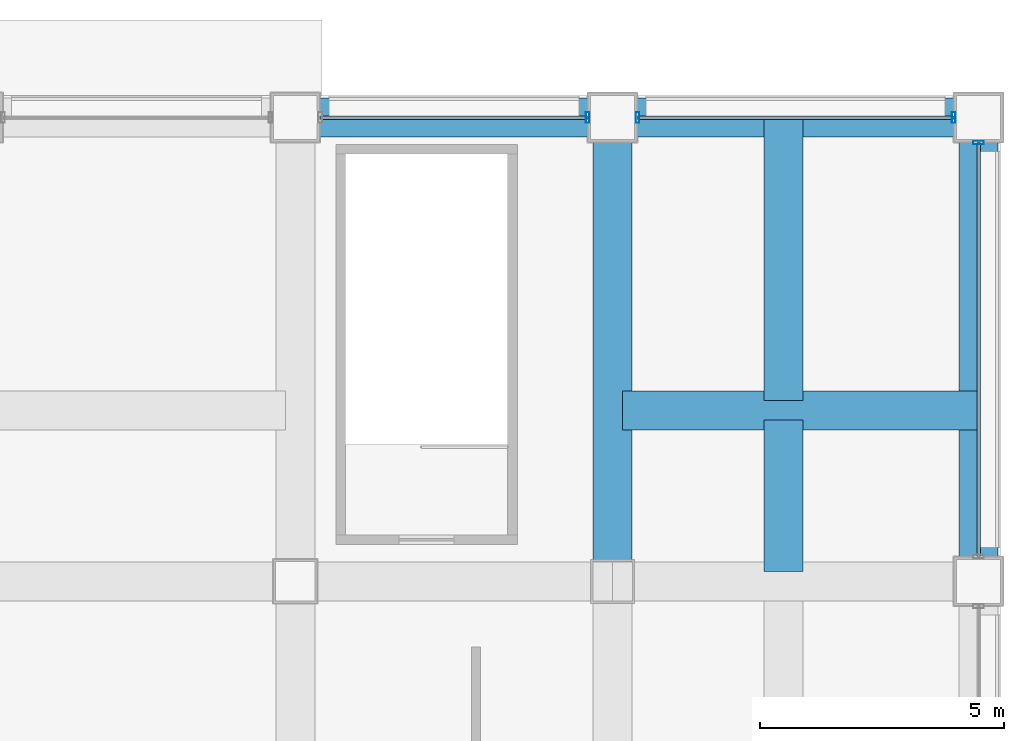
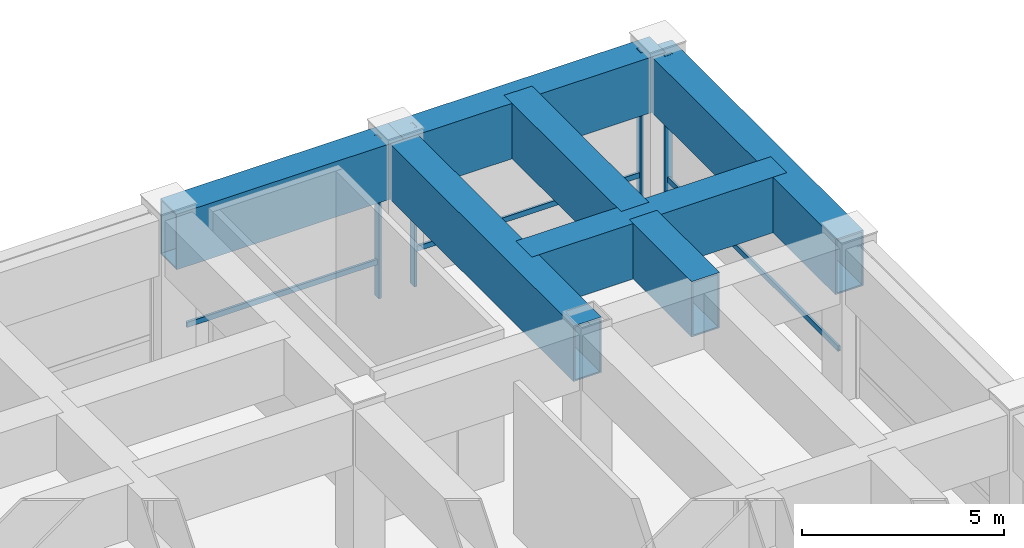
# One storey, part 23 of 30: 7 beams, 7 members, 3 elements without a shape of their own.
"""IFC4 building model written with IfcOpenShell, lengths in metres."""

from ifc_helpers import new_model, si_unit, direction, frame, origin, origin_2d, place, context, subcontext, project, spatial, hollow_rectangle, extrude, material, layer, layer_set, material_profile, profile_set, type_object, element, aggregate, save


model = new_model("IFC4")

# Units and contexts
model_context = context("Model", 3, precision=1e-05, world=origin(), true_north=direction((0.0, 1.0)))
body_context = subcontext(model_context, "Body", "Model", "MODEL_VIEW")
ifc_project = project(units=[si_unit("LENGTHUNIT", "METRE"), si_unit("AREAUNIT", "SQUARE_METRE"), si_unit("VOLUMEUNIT", "CUBIC_METRE"), si_unit("PLANEANGLEUNIT", "RADIAN"), si_unit("MASSUNIT", "GRAM", prefix="KILO")], contexts=[model_context])

# Site, building, storey
site_placement = place(None, origin())
site = spatial("IfcSite", under=ifc_project, at=site_placement, CompositionType="ELEMENT")
building_placement = place(site_placement, origin())
building = spatial("IfcBuilding", under=site, at=building_placement, Name="Brelmoor Portico Tower", CompositionType="ELEMENT")
storey_placement = place(building_placement, frame((0.0, 0.0, 19.199951171875)))
storey = spatial("IfcBuildingStorey", under=building, at=storey_placement, Name="L04", CompositionType="ELEMENT", Elevation=19.199951171875)

# Beams
ifc_material_1 = material(Name="Steel Q355B", Category="steel")
ifc_material_profile_1 = material_profile(ifc_material_1, hollow_rectangle(XDim=0.800048828125, YDim=1.679931640625, WallThickness=0.044921875, at=origin_2d()), Name="BOX 800x1680x45")
ifc_profile_set_1 = profile_set([ifc_material_profile_1], Name="Steel Q355B")
beam_type = type_object("IfcBeamType", Name="BM-TG-Z1", PredefinedType="BEAM", material=ifc_profile_set_1)
beam_1_placement = place(storey_placement, frame((14.550048828125, 27.550048828125, 3.760009765625), z_axis=(1.0, 0.0, 0.0), x_axis=(0.0, 1.0, 0.0)))
element("IfcBeam", 1, at=beam_1_placement, inside=storey, type_object=beam_type, Name="L04 Perimeter Transfer Beam SP-13", PredefinedType="BEAM", context=body_context, shape_type="SweptSolid", body=[
    extrude(hollow_rectangle(XDim=0.800048828125, YDim=1.679931640625, WallThickness=0.044921875, at=origin_2d()), origin(), (0.0, 0.0, 1.0), 6.5),
])
beam_2_placement = place(storey_placement, frame((21.050048828125, 27.550048828125, 3.760009765625), z_axis=(1.0, 0.0, 0.0), x_axis=(0.0, 1.0, 0.0)))
element("IfcBeam", 2, at=beam_2_placement, inside=storey, type_object=beam_type, Name="L04 Perimeter Transfer Beam SP-14", PredefinedType="BEAM", context=body_context, shape_type="SweptSolid", body=[
    extrude(hollow_rectangle(XDim=0.800048828125, YDim=1.679931640625, WallThickness=0.044921875, at=origin_2d()), origin(), (0.0, 0.0, 1.0), 7.5),
])
for number, where, z_axis, x_axis, name in (
    (3, (28.550048828125, 18.050048828125, 3.760009765625), (0.0, 1.0, 0.0), (-1.0, 0.0, 0.0), "L04 Perimeter Transfer Beam SP-26"),
    (4, (21.050048828125, 18.050048828125, 3.760009765625), (0.0, 1.0, 0.0), (-1.0, 0.0, 0.0), "L04 Setback Transfer Girder PG-20"),
):
    element("IfcBeam", number, at=place(storey_placement, frame(where, z_axis=z_axis, x_axis=x_axis)), inside=storey, type_object=beam_type, Name=name, PredefinedType="BEAM", context=body_context, shape_type="SweptSolid", body=[
        extrude(hollow_rectangle(XDim=0.800048828125, YDim=1.679931640625, WallThickness=0.044921875, at=origin_2d()), origin(), (0.0, 0.0, 1.0), 9.5),
    ])
beam_3_placement = place(storey_placement, frame((21.25, 21.550048828125, 3.760009765625), z_axis=(1.0, 0.0, 0.0), x_axis=(0.0, 1.0, 0.0)))
element("IfcBeam", 5, at=beam_3_placement, inside=storey, type_object=beam_type, Name="L04 Setback Transfer Girder TGN-12", PredefinedType="BEAM", context=body_context, shape_type="SweptSolid", body=[
    extrude(hollow_rectangle(XDim=0.800048828125, YDim=1.679931640625, WallThickness=0.044921875, at=origin_2d()), origin(), (0.0, 0.0, 1.0), 7.300048828125),
])
beam_4_placement = place(storey_placement, frame((24.550048828125, 18.25, 3.760009765625), z_axis=(0.0, 1.0, 0.0), x_axis=(-1.0, 0.0, 0.0)))
element("IfcBeam", 6, at=beam_4_placement, inside=storey, type_object=beam_type, Name="L04 Setback Transfer Girder TGN-53", PredefinedType="BEAM", context=body_context, shape_type="SweptSolid", body=[
    extrude(hollow_rectangle(XDim=0.800048828125, YDim=1.679931640625, WallThickness=0.044921875, at=origin_2d()), origin(), (0.0, 0.0, 1.0), 3.10009765625),
])
beam_5_placement = place(storey_placement, frame((24.550048828125, 21.75, 3.760009765625), z_axis=(0.0, 1.0, 0.0), x_axis=(-1.0, 0.0, 0.0)))
element("IfcBeam", 7, at=beam_5_placement, inside=storey, type_object=beam_type, Name="L04 Setback Transfer Girder TGN-54", PredefinedType="BEAM", context=body_context, shape_type="SweptSolid", body=[
    extrude(hollow_rectangle(XDim=0.800048828125, YDim=1.679931640625, WallThickness=0.044921875, at=origin_2d()), origin(), (0.0, 0.0, 1.0), 5.800048828125),
])

# Curtain wall, member
ifc_material_2 = material(Name="Anodised Aluminium Alloy 6063-T6", Category="aluminium")
ifc_layer = layer(ifc_material_2, 0.179931640625)
ifc_layer_set = layer_set([ifc_layer], Name="Anodised Aluminium Alloy 6063-T6")
curtain_wall_type = type_object("IfcCurtainWallType", Name="CW-PODIUM-ARCH", PredefinedType="NOTDEFINED", material=ifc_layer_set)
curtain_wall_1_placement = place(storey_placement, origin())
curtain_wall_1 = element("IfcCurtainWall", 8, at=curtain_wall_1_placement, inside=storey, type_object=curtain_wall_type, Name="L04 Curtain Wall CW-L04-02-6", PredefinedType="NOTDEFINED")
ifc_material_profile_2 = material_profile(ifc_material_2, hollow_rectangle(XDim=0.074951171875, YDim=0.219970703125, WallThickness=0.0048828125, at=origin_2d()), Name="ALU MULLION 75x220")
ifc_profile_set_2 = profile_set([ifc_material_profile_2], Name="Anodised Aluminium Alloy 6063-T6")
member_type_1 = type_object("IfcMemberType", Name="MB-CW-MULL-220", PredefinedType="MULLION", material=ifc_profile_set_2)
member_1_placement = place(storey_placement, frame((20.5400390625, 27.550048828125, -0.219970703125), z_axis=(0.0, 0.0, 1.0), x_axis=(1.0, 0.0, 0.0)))
member_1 = element("IfcMember", 9, at=member_1_placement, type_object=member_type_1, Name="CW-L04-02-6 Mullion 01", PredefinedType="MULLION", context=body_context, shape_type="SweptSolid", body=[
    extrude(hollow_rectangle(XDim=0.074951171875, YDim=0.219970703125, WallThickness=0.0048828125, at=origin_2d()), origin(), (0.0, 0.0, 1.0), 4.820068359375),
])

# Curtain wall, members
curtain_wall_2_placement = place(storey_placement, origin())
curtain_wall_2 = element("IfcCurtainWall", 10, at=curtain_wall_2_placement, inside=storey, type_object=curtain_wall_type, Name="L04 Curtain Wall CW-L04-02-7", PredefinedType="NOTDEFINED")
member_2_placement = place(storey_placement, frame((21.56005859375, 27.550048828125, -0.219970703125), z_axis=(0.0, 0.0, 1.0), x_axis=(1.0, 0.0, 0.0)))
member_2 = element("IfcMember", 11, at=member_2_placement, type_object=member_type_1, Name="CW-L04-02-7 Mullion 00", PredefinedType="MULLION", context=body_context, shape_type="SweptSolid", body=[
    extrude(hollow_rectangle(XDim=0.074951171875, YDim=0.219970703125, WallThickness=0.0048828125, at=origin_2d()), origin(), (0.0, 0.0, 1.0), 4.820068359375),
])
member_3_placement = place(storey_placement, frame((28.0400390625, 27.550048828125, -0.219970703125), z_axis=(0.0, 0.0, 1.0), x_axis=(1.0, 0.0, 0.0)))
member_3 = element("IfcMember", 12, at=member_3_placement, type_object=member_type_1, Name="CW-L04-02-7 Mullion 01", PredefinedType="MULLION", context=body_context, shape_type="SweptSolid", body=[
    extrude(hollow_rectangle(XDim=0.074951171875, YDim=0.219970703125, WallThickness=0.0048828125, at=origin_2d()), origin(), (0.0, 0.0, 1.0), 4.820068359375),
])

# Curtain wall, member
curtain_wall_3_placement = place(storey_placement, origin())
curtain_wall_3 = element("IfcCurtainWall", 13, at=curtain_wall_3_placement, inside=storey, type_object=curtain_wall_type, Name="L04 Curtain Wall CW-L04-04-6", PredefinedType="NOTDEFINED")
member_4_placement = place(storey_placement, frame((28.550048828125, 27.0400390625, -0.219970703125), z_axis=(0.0, 0.0, 1.0), x_axis=(0.0, 1.0, 0.0)))
member_4 = element("IfcMember", 14, at=member_4_placement, type_object=member_type_1, Name="CW-L04-04-6 Mullion 01", PredefinedType="MULLION", context=body_context, shape_type="SweptSolid", body=[
    extrude(hollow_rectangle(XDim=0.074951171875, YDim=0.219970703125, WallThickness=0.0048828125, at=origin_2d()), origin(), (0.0, 0.0, 1.0), 4.820068359375),
])

# Member
ifc_material_profile_3 = material_profile(ifc_material_2, hollow_rectangle(XDim=0.070068359375, YDim=0.159912109375, WallThickness=0.00390625, at=origin_2d()), Name="ALU TRANSOM 70x160")
ifc_profile_set_3 = profile_set([ifc_material_profile_3], Name="Anodised Aluminium Alloy 6063-T6")
member_type_2 = type_object("IfcMemberType", Name="MB-CW-TRAN-160", PredefinedType="USERDEFINED", material=ifc_profile_set_3)
member_5_placement = place(storey_placement, frame((15.06005859375, 27.550048828125, 0.85009765625), z_axis=(1.0, 0.0, 0.0), x_axis=(0.0, 1.0, 0.0)))
member_5 = element("IfcMember", 15, at=member_5_placement, type_object=member_type_2, Name="CW-L04-02-6 Transom 1-00", ObjectType="TRANSOM", PredefinedType="USERDEFINED", context=body_context, shape_type="SweptSolid", body=[
    extrude(hollow_rectangle(XDim=0.070068359375, YDim=0.159912109375, WallThickness=0.00390625, at=origin_2d()), origin(), (0.0, 0.0, 1.0), 5.47998046875),
])

aggregate(curtain_wall_1, [member_1, member_5])

member_6_placement = place(storey_placement, frame((21.56005859375, 27.550048828125, 0.85009765625), z_axis=(1.0, 0.0, 0.0), x_axis=(0.0, 1.0, 0.0)))
member_6 = element("IfcMember", 16, at=member_6_placement, type_object=member_type_2, Name="CW-L04-02-7 Transom 1-00", ObjectType="TRANSOM", PredefinedType="USERDEFINED", context=body_context, shape_type="SweptSolid", body=[
    extrude(hollow_rectangle(XDim=0.070068359375, YDim=0.159912109375, WallThickness=0.00390625, at=origin_2d()), origin(), (0.0, 0.0, 1.0), 6.47998046875),
])

aggregate(curtain_wall_2, [member_2, member_3, member_6])

member_7_placement = place(storey_placement, frame((28.550048828125, 18.56005859375, 0.85009765625), z_axis=(0.0, 1.0, 0.0), x_axis=(-1.0, 0.0, 0.0)))
member_7 = element("IfcMember", 17, at=member_7_placement, type_object=member_type_2, Name="CW-L04-04-6 Transom 1-00", ObjectType="TRANSOM", PredefinedType="USERDEFINED", context=body_context, shape_type="SweptSolid", body=[
    extrude(hollow_rectangle(XDim=0.070068359375, YDim=0.159912109375, WallThickness=0.00390625, at=origin_2d()), origin(), (0.0, 0.0, 1.0), 8.47998046875),
])

aggregate(curtain_wall_3, [member_4, member_7])

save(model, "model.ifc")
